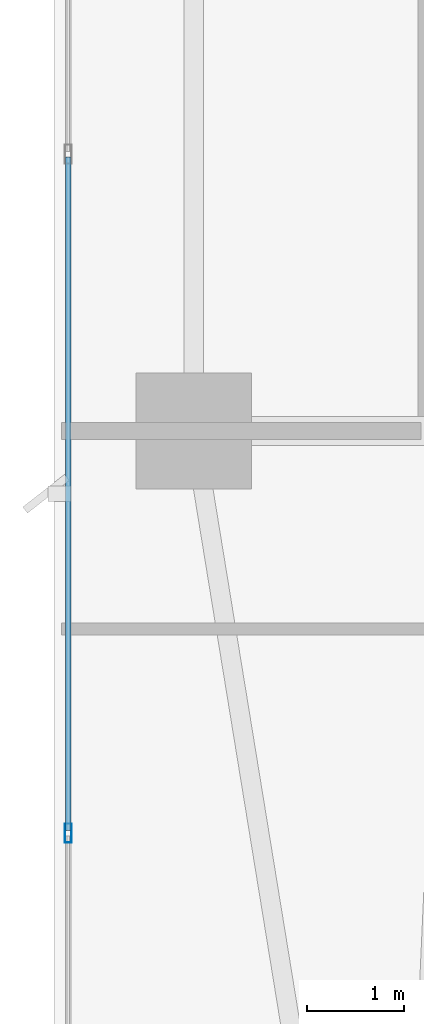
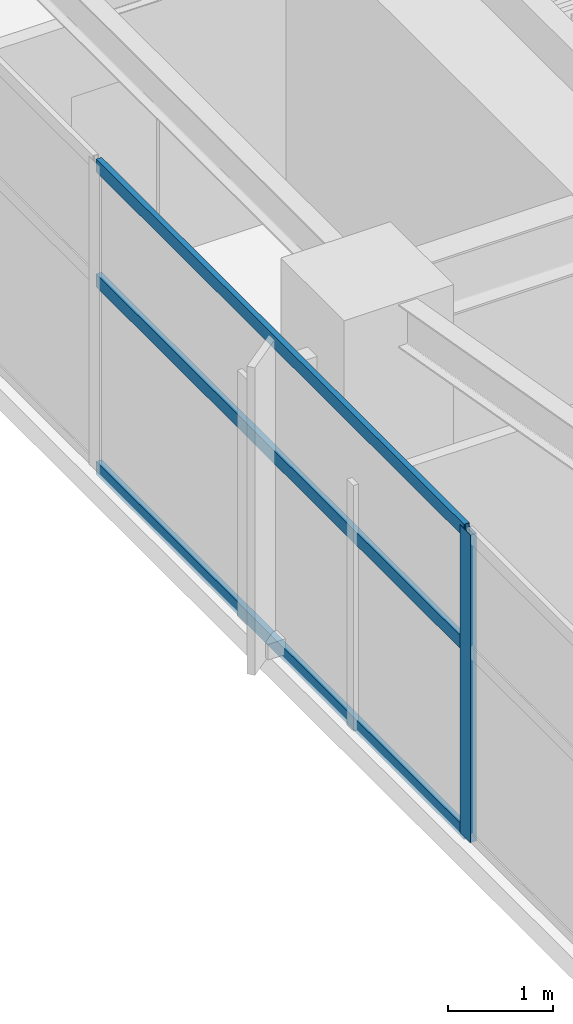
# One storey, part 4 of 29: 4 members, 1 element without a shape of its own.
"""IFC4 building model written with IfcOpenShell, lengths in metres."""

from ifc_helpers import new_model, si_unit, direction, frame, origin, origin_2d, place, context, subcontext, project, spatial, hollow_rectangle, extrude, material, layer, layer_set, material_profile, profile_set, type_object, element, aggregate, save


model = new_model("IFC4")

# Units and contexts
model_context = context("Model", 3, precision=1e-05, world=origin(), true_north=direction((0.0, 1.0)))
body_context = subcontext(model_context, "Body", "Model", "MODEL_VIEW")
ifc_project = project(units=[si_unit("LENGTHUNIT", "METRE"), si_unit("AREAUNIT", "SQUARE_METRE"), si_unit("VOLUMEUNIT", "CUBIC_METRE"), si_unit("PLANEANGLEUNIT", "RADIAN"), si_unit("MASSUNIT", "GRAM", prefix="KILO")], contexts=[model_context])

# Site, building, storey
site_placement = place(None, origin())
site = spatial("IfcSite", under=ifc_project, at=site_placement, CompositionType="ELEMENT")
building_placement = place(site_placement, origin())
building = spatial("IfcBuilding", under=site, at=building_placement, Name="Calvorn Quay Hotel", CompositionType="ELEMENT")
storey_placement = place(building_placement, frame((0.0, 0.0, 124.0)))
storey = spatial("IfcBuildingStorey", under=building, at=storey_placement, Name="L30", CompositionType="ELEMENT", Elevation=124.0)

# Curtain wall, members
ifc_material_1 = material(Name="Pale Anodised Aluminium and Low-E Glass", Category="aluminium")
ifc_layer = layer(ifc_material_1, 0.219970703125)
ifc_layer_set = layer_set([ifc_layer], Name="CW-SYS-Z2")
curtain_wall_type = type_object("IfcCurtainWallType", Name="CW-SYS-Z2", PredefinedType="NOTDEFINED", material=ifc_layer_set)
curtain_wall_placement = place(storey_placement, origin())
curtain_wall = element("IfcCurtainWall", 1, at=curtain_wall_placement, inside=storey, type_object=curtain_wall_type, Name="Tower West Curtain Wall (L30)", PredefinedType="NOTDEFINED")
ifc_material_2 = material(Name="Pale Anodised Aluminium 6063-T6", Category="aluminium")
ifc_material_profile_1 = material_profile(ifc_material_2, hollow_rectangle(XDim=0.070068359375, YDim=0.199951171875, WallThickness=0.00390625, at=origin_2d()), Name="ALU-M200x70x4")
ifc_profile_set_1 = profile_set([ifc_material_profile_1], Name="Pale Anodised Aluminium 6063-T6")
member_type_1 = type_object("IfcMemberType", Name="CW-SYS-Z2-MUL", PredefinedType="MULLION", material=ifc_profile_set_1)
member_1_placement = place(storey_placement, frame((0.14990234375, 12.63330078125, 0.0), z_axis=(0.0, 0.0, 1.0), x_axis=(-1.0, 0.0, 0.0)))
member_1 = element("IfcMember", 2, at=member_1_placement, type_object=member_type_1, Name="CW-L30-W mullion 2", PredefinedType="MULLION", context=body_context, shape_type="SweptSolid", body=[
    extrude(hollow_rectangle(XDim=0.070068359375, YDim=0.199951171875, WallThickness=0.00390625, at=origin_2d()), origin(), (0.0, 0.0, 1.0), 3.56005859375),
])
ifc_material_3 = material(Name="Pale Anodised Aluminium 6063-T6", Category="aluminium")
ifc_material_profile_2 = material_profile(ifc_material_3, hollow_rectangle(XDim=0.06005859375, YDim=0.14990234375, WallThickness=0.00341796875, at=origin_2d()), Name="ALU-T150x60x3.5")
ifc_profile_set_2 = profile_set([ifc_material_profile_2], Name="Pale Anodised Aluminium 6063-T6")
member_type_2 = type_object("IfcMemberType", Name="CW-SYS-Z2-TRN", PredefinedType="USERDEFINED", material=ifc_profile_set_2)
member_2_placement = place(storey_placement, frame((0.14990234375, 12.663330078125, 0.030029296875), z_axis=(0.0, 1.0, 0.0), x_axis=(-1.0, 0.0, 0.0)))
member_2 = element("IfcMember", 3, at=member_2_placement, type_object=member_type_2, Name="CW-L30-W transom 2.1", ObjectType="TRANSOM", PredefinedType="USERDEFINED", context=body_context, shape_type="SweptSolid", body=[
    extrude(hollow_rectangle(XDim=0.06005859375, YDim=0.14990234375, WallThickness=0.00341796875, at=origin_2d()), origin(), (0.0, 0.0, 1.0), 6.973388671875),
])
member_3_placement = place(storey_placement, frame((0.14990234375, 12.663330078125, 2.199951171875), z_axis=(0.0, 1.0, 0.0), x_axis=(-1.0, 0.0, 0.0)))
member_3 = element("IfcMember", 4, at=member_3_placement, type_object=member_type_2, Name="CW-L30-W transom 2.2", ObjectType="TRANSOM", PredefinedType="USERDEFINED", context=body_context, shape_type="SweptSolid", body=[
    extrude(hollow_rectangle(XDim=0.06005859375, YDim=0.14990234375, WallThickness=0.00341796875, at=origin_2d()), origin(), (0.0, 0.0, 1.0), 6.973388671875),
])
member_4_placement = place(storey_placement, frame((0.14990234375, 12.663330078125, 3.530029296875), z_axis=(0.0, 1.0, 0.0), x_axis=(-1.0, 0.0, 0.0)))
member_4 = element("IfcMember", 5, at=member_4_placement, type_object=member_type_2, Name="CW-L30-W transom 2.3", ObjectType="TRANSOM", PredefinedType="USERDEFINED", context=body_context, shape_type="SweptSolid", body=[
    extrude(hollow_rectangle(XDim=0.06005859375, YDim=0.14990234375, WallThickness=0.00341796875, at=origin_2d()), origin(), (0.0, 0.0, 1.0), 6.973388671875),
])
aggregate(curtain_wall, [member_1, member_2, member_3, member_4])

save(model, "model.ifc")
